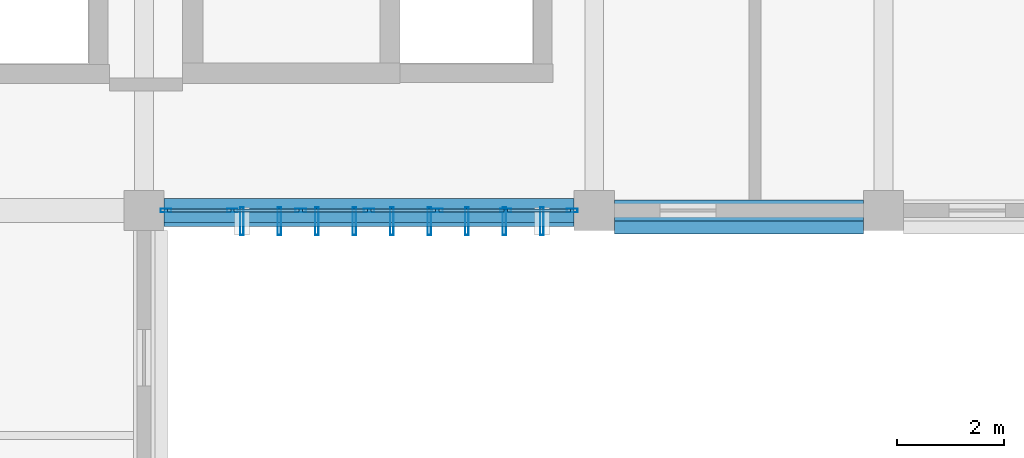
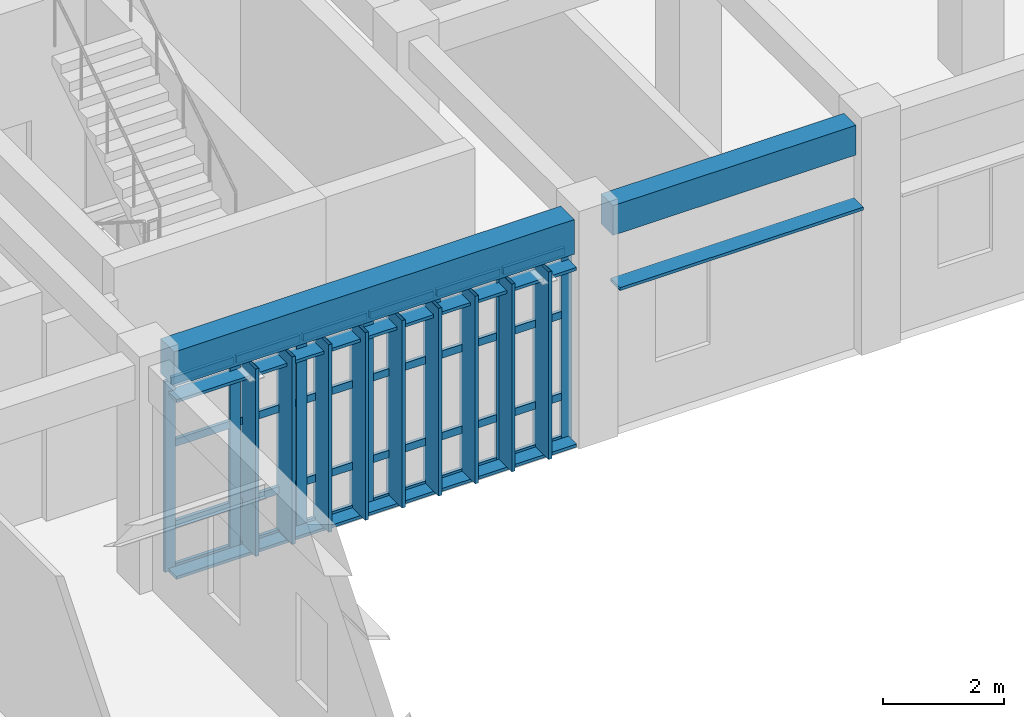
# One storey, part 46 of 76: 43 members, 2 beams, 1 element without a shape of its own.
"""IFC4 building model written with IfcOpenShell, lengths in metres."""

from ifc_helpers import new_model, si_unit, direction, frame, origin, origin_2d, place, context, subcontext, project, spatial, rectangle, hollow_rectangle, extrude, material, layer, layer_set, material_profile, profile_set, type_object, element, aggregate, save


model = new_model("IFC4")

# Units and contexts
model_context = context("Model", 3, precision=1e-05, world=origin(), true_north=direction((0.0, 1.0)))
body_context = subcontext(model_context, "Body", "Model", "MODEL_VIEW")
ifc_project = project(units=[si_unit("LENGTHUNIT", "METRE"), si_unit("AREAUNIT", "SQUARE_METRE"), si_unit("VOLUMEUNIT", "CUBIC_METRE"), si_unit("PLANEANGLEUNIT", "RADIAN"), si_unit("MASSUNIT", "GRAM", prefix="KILO")], contexts=[model_context])

# Site, building, storey
site_placement = place(None, origin())
site = spatial("IfcSite", under=ifc_project, at=site_placement, CompositionType="ELEMENT")
building_placement = place(site_placement, origin())
building = spatial("IfcBuilding", under=site, at=building_placement, Name="Krzemoval Escarpment Law Courts", CompositionType="ELEMENT")
storey_placement = place(building_placement, frame((0.0, 0.0, 20.39990234375)))
storey = spatial("IfcBuildingStorey", under=building, at=storey_placement, Name="L04", CompositionType="ELEMENT", Elevation=20.39990234375)

# Beams
ifc_material_1 = material(Name="Concrete C40/50", Category="concrete")
ifc_material_profile_1 = material_profile(ifc_material_1, rectangle(XDim=0.39990234375, YDim=0.60009765625, at=origin_2d()), Name="RCB 400x600")
ifc_profile_set_1 = profile_set([ifc_material_profile_1], Name="Concrete C40/50")
beam_type_1 = type_object("IfcBeamType", Name="BM-RC-400x600", PredefinedType="BEAM", material=ifc_profile_set_1)
beam_1_placement = place(storey_placement, frame((151.574951171875, 93.60009765625, 4.25), z_axis=(1.0, 0.0, 0.0), x_axis=(0.0, 1.0, 0.0)))
element("IfcBeam", 1, at=beam_1_placement, inside=storey, type_object=beam_type_1, Name="Beam FG-L04-2456", PredefinedType="BEAM", context=body_context, shape_type="SweptSolid", body=[
    extrude(rectangle(XDim=0.39990234375, YDim=0.60009765625, at=origin_2d()), origin(), (0.0, 0.0, 1.0), 4.650146484375),
])
ifc_material_2 = material(Name="Concrete C40/50", Category="concrete")
ifc_material_profile_2 = material_profile(ifc_material_2, rectangle(XDim=0.449951171875, YDim=0.699951171875, at=origin_2d()), Name="RCB 450x700")
ifc_profile_set_2 = profile_set([ifc_material_profile_2], Name="Concrete C40/50")
beam_type_2 = type_object("IfcBeamType", Name="BM-RC-450x700", PredefinedType="BEAM", material=ifc_profile_set_2)
beam_2_placement = place(storey_placement, frame((143.175048828125, 93.60009765625, 4.2001953125), z_axis=(1.0, 0.0, 0.0), x_axis=(0.0, 1.0, 0.0)))
element("IfcBeam", 2, at=beam_2_placement, inside=storey, type_object=beam_type_2, Name="Beam FG-L04-2455", PredefinedType="BEAM", context=body_context, shape_type="SweptSolid", body=[
    extrude(rectangle(XDim=0.449951171875, YDim=0.699951171875, at=origin_2d()), origin(), (0.0, 0.0, 1.0), 7.64990234375),
])

# Curtain wall, members
ifc_material_3 = material(Name="Aluminium 6063-T6", Category="aluminium")
ifc_layer = layer(ifc_material_3, 0.219970703125)
ifc_layer_set = layer_set([ifc_layer], Name="Aluminium 6063-T6")
curtain_wall_type = type_object("IfcCurtainWallType", Name="CW-CHMB-4200", PredefinedType="USERDEFINED", material=ifc_layer_set)
curtain_wall_placement = place(storey_placement, origin())
curtain_wall = element("IfcCurtainWall", 3, at=curtain_wall_placement, inside=storey, type_object=curtain_wall_type, Name="Unitised Curtain Wall FCW-L04-132", ObjectType="UNITISED_CURTAIN_WALL", PredefinedType="USERDEFINED")
ifc_material_4 = material(Name="Aluminium 6063-T6", Category="aluminium")
ifc_material_profile_3 = material_profile(ifc_material_4, hollow_rectangle(XDim=0.06494140625, YDim=0.199951171875, WallThickness=0.00439453125, at=origin_2d()), Name="ALU M65x200")
ifc_profile_set_3 = profile_set([ifc_material_profile_3], Name="Aluminium 6063-T6")
member_type_1 = type_object("IfcMemberType", Name="CWM-65x200", PredefinedType="MULLION", material=ifc_profile_set_3)
member_1_placement = place(storey_placement, frame((150.79248046875, 93.60009765625, 0.0), z_axis=(0.0, 0.0, 1.0), x_axis=(0.0, -1.0, 0.0)))
member_1 = element("IfcMember", 4, at=member_1_placement, type_object=member_type_1, Name="FCW-L04-132 mullion 1", PredefinedType="MULLION", context=body_context, shape_type="SweptSolid", body=[
    extrude(hollow_rectangle(XDim=0.06494140625, YDim=0.199951171875, WallThickness=0.00439453125, at=origin_2d()), origin(), (0.0, 0.0, 1.0), 3.85009765625),
])
member_2_placement = place(storey_placement, frame((149.550048828125, 93.60009765625, 0.0), z_axis=(0.0, 0.0, 1.0), x_axis=(0.0, -1.0, 0.0)))
member_2 = element("IfcMember", 5, at=member_2_placement, type_object=member_type_1, Name="FCW-L04-132 mullion 2", PredefinedType="MULLION", context=body_context, shape_type="SweptSolid", body=[
    extrude(hollow_rectangle(XDim=0.06494140625, YDim=0.199951171875, WallThickness=0.00439453125, at=origin_2d()), origin(), (0.0, 0.0, 1.0), 3.85009765625),
])
member_3_placement = place(storey_placement, frame((148.27490234375, 93.60009765625, 0.0), z_axis=(0.0, 0.0, 1.0), x_axis=(0.0, -1.0, 0.0)))
member_3 = element("IfcMember", 6, at=member_3_placement, type_object=member_type_1, Name="FCW-L04-132 mullion 3", PredefinedType="MULLION", context=body_context, shape_type="SweptSolid", body=[
    extrude(hollow_rectangle(XDim=0.06494140625, YDim=0.199951171875, WallThickness=0.00439453125, at=origin_2d()), origin(), (0.0, 0.0, 1.0), 3.85009765625),
])
member_4_placement = place(storey_placement, frame((147.0, 93.60009765625, 0.0), z_axis=(0.0, 0.0, 1.0), x_axis=(0.0, -1.0, 0.0)))
member_4 = element("IfcMember", 7, at=member_4_placement, type_object=member_type_1, Name="FCW-L04-132 mullion 4", PredefinedType="MULLION", context=body_context, shape_type="SweptSolid", body=[
    extrude(hollow_rectangle(XDim=0.06494140625, YDim=0.199951171875, WallThickness=0.00439453125, at=origin_2d()), origin(), (0.0, 0.0, 1.0), 3.85009765625),
])
member_5_placement = place(storey_placement, frame((145.72509765625, 93.60009765625, 0.0), z_axis=(0.0, 0.0, 1.0), x_axis=(0.0, -1.0, 0.0)))
member_5 = element("IfcMember", 8, at=member_5_placement, type_object=member_type_1, Name="FCW-L04-132 mullion 5", PredefinedType="MULLION", context=body_context, shape_type="SweptSolid", body=[
    extrude(hollow_rectangle(XDim=0.06494140625, YDim=0.199951171875, WallThickness=0.00439453125, at=origin_2d()), origin(), (0.0, 0.0, 1.0), 3.85009765625),
])
member_6_placement = place(storey_placement, frame((144.449951171875, 93.60009765625, 0.0), z_axis=(0.0, 0.0, 1.0), x_axis=(0.0, -1.0, 0.0)))
member_6 = element("IfcMember", 9, at=member_6_placement, type_object=member_type_1, Name="FCW-L04-132 mullion 6", PredefinedType="MULLION", context=body_context, shape_type="SweptSolid", body=[
    extrude(hollow_rectangle(XDim=0.06494140625, YDim=0.199951171875, WallThickness=0.00439453125, at=origin_2d()), origin(), (0.0, 0.0, 1.0), 3.85009765625),
])
member_7_placement = place(storey_placement, frame((143.20751953125, 93.60009765625, 0.0), z_axis=(0.0, 0.0, 1.0), x_axis=(0.0, -1.0, 0.0)))
member_7 = element("IfcMember", 10, at=member_7_placement, type_object=member_type_1, Name="FCW-L04-132 mullion 7", PredefinedType="MULLION", context=body_context, shape_type="SweptSolid", body=[
    extrude(hollow_rectangle(XDim=0.06494140625, YDim=0.199951171875, WallThickness=0.00439453125, at=origin_2d()), origin(), (0.0, 0.0, 1.0), 3.85009765625),
])
ifc_material_5 = material(Name="Aluminium 6063-T6", Category="aluminium")
ifc_material_profile_4 = material_profile(ifc_material_5, hollow_rectangle(XDim=0.06494140625, YDim=0.14990234375, WallThickness=0.00439453125, at=origin_2d()), Name="ALU T65x150")
ifc_profile_set_4 = profile_set([ifc_material_profile_4], Name="Aluminium 6063-T6")
member_type_2 = type_object("IfcMemberType", Name="CWT-65x150", PredefinedType="USERDEFINED", material=ifc_profile_set_4)
member_8_placement = place(storey_placement, frame((150.760009765625, 93.60009765625, 0.03271484375), z_axis=(-1.0, 0.0, 0.0), x_axis=(0.0, -1.0, 0.0)))
member_8 = element("IfcMember", 11, at=member_8_placement, type_object=member_type_2, Name="FCW-L04-132 transom 1.1", ObjectType="TRANSOM", PredefinedType="USERDEFINED", context=body_context, shape_type="SweptSolid", body=[
    extrude(hollow_rectangle(XDim=0.06494140625, YDim=0.14990234375, WallThickness=0.00439453125, at=origin_2d()), origin(), (0.0, 0.0, 1.0), 1.177490234375),
])
member_9_placement = place(storey_placement, frame((150.760009765625, 93.60009765625, 0.900146484375), z_axis=(-1.0, 0.0, 0.0), x_axis=(0.0, -1.0, 0.0)))
member_9 = element("IfcMember", 12, at=member_9_placement, type_object=member_type_2, Name="FCW-L04-132 transom 1.2", ObjectType="TRANSOM", PredefinedType="USERDEFINED", context=body_context, shape_type="SweptSolid", body=[
    extrude(hollow_rectangle(XDim=0.06494140625, YDim=0.14990234375, WallThickness=0.00439453125, at=origin_2d()), origin(), (0.0, 0.0, 1.0), 1.177490234375),
])
member_10_placement = place(storey_placement, frame((150.760009765625, 93.60009765625, 2.550048828125), z_axis=(-1.0, 0.0, 0.0), x_axis=(0.0, -1.0, 0.0)))
member_10 = element("IfcMember", 13, at=member_10_placement, type_object=member_type_2, Name="FCW-L04-132 transom 1.3", ObjectType="TRANSOM", PredefinedType="USERDEFINED", context=body_context, shape_type="SweptSolid", body=[
    extrude(hollow_rectangle(XDim=0.06494140625, YDim=0.14990234375, WallThickness=0.00439453125, at=origin_2d()), origin(), (0.0, 0.0, 1.0), 1.177490234375),
])
member_11_placement = place(storey_placement, frame((150.760009765625, 93.60009765625, 3.817626953125), z_axis=(-1.0, 0.0, 0.0), x_axis=(0.0, -1.0, 0.0)))
member_11 = element("IfcMember", 14, at=member_11_placement, type_object=member_type_2, Name="FCW-L04-132 transom 1.4", ObjectType="TRANSOM", PredefinedType="USERDEFINED", context=body_context, shape_type="SweptSolid", body=[
    extrude(hollow_rectangle(XDim=0.06494140625, YDim=0.14990234375, WallThickness=0.00439453125, at=origin_2d()), origin(), (0.0, 0.0, 1.0), 1.177490234375),
])
member_12_placement = place(storey_placement, frame((149.517578125, 93.60009765625, 0.03271484375), z_axis=(-1.0, 0.0, 0.0), x_axis=(0.0, -1.0, 0.0)))
member_12 = element("IfcMember", 15, at=member_12_placement, type_object=member_type_2, Name="FCW-L04-132 transom 2.1", ObjectType="TRANSOM", PredefinedType="USERDEFINED", context=body_context, shape_type="SweptSolid", body=[
    extrude(hollow_rectangle(XDim=0.06494140625, YDim=0.14990234375, WallThickness=0.00439453125, at=origin_2d()), origin(), (0.0, 0.0, 1.0), 1.2099609375),
])
member_13_placement = place(storey_placement, frame((149.517578125, 93.60009765625, 0.900146484375), z_axis=(-1.0, 0.0, 0.0), x_axis=(0.0, -1.0, 0.0)))
member_13 = element("IfcMember", 16, at=member_13_placement, type_object=member_type_2, Name="FCW-L04-132 transom 2.2", ObjectType="TRANSOM", PredefinedType="USERDEFINED", context=body_context, shape_type="SweptSolid", body=[
    extrude(hollow_rectangle(XDim=0.06494140625, YDim=0.14990234375, WallThickness=0.00439453125, at=origin_2d()), origin(), (0.0, 0.0, 1.0), 1.2099609375),
])
member_14_placement = place(storey_placement, frame((149.517578125, 93.60009765625, 2.550048828125), z_axis=(-1.0, 0.0, 0.0), x_axis=(0.0, -1.0, 0.0)))
member_14 = element("IfcMember", 17, at=member_14_placement, type_object=member_type_2, Name="FCW-L04-132 transom 2.3", ObjectType="TRANSOM", PredefinedType="USERDEFINED", context=body_context, shape_type="SweptSolid", body=[
    extrude(hollow_rectangle(XDim=0.06494140625, YDim=0.14990234375, WallThickness=0.00439453125, at=origin_2d()), origin(), (0.0, 0.0, 1.0), 1.2099609375),
])
member_15_placement = place(storey_placement, frame((149.517578125, 93.60009765625, 3.817626953125), z_axis=(-1.0, 0.0, 0.0), x_axis=(0.0, -1.0, 0.0)))
member_15 = element("IfcMember", 18, at=member_15_placement, type_object=member_type_2, Name="FCW-L04-132 transom 2.4", ObjectType="TRANSOM", PredefinedType="USERDEFINED", context=body_context, shape_type="SweptSolid", body=[
    extrude(hollow_rectangle(XDim=0.06494140625, YDim=0.14990234375, WallThickness=0.00439453125, at=origin_2d()), origin(), (0.0, 0.0, 1.0), 1.2099609375),
])
member_16_placement = place(storey_placement, frame((148.242431640625, 93.60009765625, 0.03271484375), z_axis=(-1.0, 0.0, 0.0), x_axis=(0.0, -1.0, 0.0)))
member_16 = element("IfcMember", 19, at=member_16_placement, type_object=member_type_2, Name="FCW-L04-132 transom 3.1", ObjectType="TRANSOM", PredefinedType="USERDEFINED", context=body_context, shape_type="SweptSolid", body=[
    extrude(hollow_rectangle(XDim=0.06494140625, YDim=0.14990234375, WallThickness=0.00439453125, at=origin_2d()), origin(), (0.0, 0.0, 1.0), 1.2099609375),
])
member_17_placement = place(storey_placement, frame((148.242431640625, 93.60009765625, 0.900146484375), z_axis=(-1.0, 0.0, 0.0), x_axis=(0.0, -1.0, 0.0)))
member_17 = element("IfcMember", 20, at=member_17_placement, type_object=member_type_2, Name="FCW-L04-132 transom 3.2", ObjectType="TRANSOM", PredefinedType="USERDEFINED", context=body_context, shape_type="SweptSolid", body=[
    extrude(hollow_rectangle(XDim=0.06494140625, YDim=0.14990234375, WallThickness=0.00439453125, at=origin_2d()), origin(), (0.0, 0.0, 1.0), 1.2099609375),
])
member_18_placement = place(storey_placement, frame((148.242431640625, 93.60009765625, 2.550048828125), z_axis=(-1.0, 0.0, 0.0), x_axis=(0.0, -1.0, 0.0)))
member_18 = element("IfcMember", 21, at=member_18_placement, type_object=member_type_2, Name="FCW-L04-132 transom 3.3", ObjectType="TRANSOM", PredefinedType="USERDEFINED", context=body_context, shape_type="SweptSolid", body=[
    extrude(hollow_rectangle(XDim=0.06494140625, YDim=0.14990234375, WallThickness=0.00439453125, at=origin_2d()), origin(), (0.0, 0.0, 1.0), 1.2099609375),
])
member_19_placement = place(storey_placement, frame((148.242431640625, 93.60009765625, 3.817626953125), z_axis=(-1.0, 0.0, 0.0), x_axis=(0.0, -1.0, 0.0)))
member_19 = element("IfcMember", 22, at=member_19_placement, type_object=member_type_2, Name="FCW-L04-132 transom 3.4", ObjectType="TRANSOM", PredefinedType="USERDEFINED", context=body_context, shape_type="SweptSolid", body=[
    extrude(hollow_rectangle(XDim=0.06494140625, YDim=0.14990234375, WallThickness=0.00439453125, at=origin_2d()), origin(), (0.0, 0.0, 1.0), 1.2099609375),
])
member_20_placement = place(storey_placement, frame((146.967529296875, 93.60009765625, 0.03271484375), z_axis=(-1.0, 0.0, 0.0), x_axis=(0.0, -1.0, 0.0)))
member_20 = element("IfcMember", 23, at=member_20_placement, type_object=member_type_2, Name="FCW-L04-132 transom 4.1", ObjectType="TRANSOM", PredefinedType="USERDEFINED", context=body_context, shape_type="SweptSolid", body=[
    extrude(hollow_rectangle(XDim=0.06494140625, YDim=0.14990234375, WallThickness=0.00439453125, at=origin_2d()), origin(), (0.0, 0.0, 1.0), 1.2099609375),
])
member_21_placement = place(storey_placement, frame((146.967529296875, 93.60009765625, 0.900146484375), z_axis=(-1.0, 0.0, 0.0), x_axis=(0.0, -1.0, 0.0)))
member_21 = element("IfcMember", 24, at=member_21_placement, type_object=member_type_2, Name="FCW-L04-132 transom 4.2", ObjectType="TRANSOM", PredefinedType="USERDEFINED", context=body_context, shape_type="SweptSolid", body=[
    extrude(hollow_rectangle(XDim=0.06494140625, YDim=0.14990234375, WallThickness=0.00439453125, at=origin_2d()), origin(), (0.0, 0.0, 1.0), 1.2099609375),
])
member_22_placement = place(storey_placement, frame((146.967529296875, 93.60009765625, 2.550048828125), z_axis=(-1.0, 0.0, 0.0), x_axis=(0.0, -1.0, 0.0)))
member_22 = element("IfcMember", 25, at=member_22_placement, type_object=member_type_2, Name="FCW-L04-132 transom 4.3", ObjectType="TRANSOM", PredefinedType="USERDEFINED", context=body_context, shape_type="SweptSolid", body=[
    extrude(hollow_rectangle(XDim=0.06494140625, YDim=0.14990234375, WallThickness=0.00439453125, at=origin_2d()), origin(), (0.0, 0.0, 1.0), 1.2099609375),
])
member_23_placement = place(storey_placement, frame((146.967529296875, 93.60009765625, 3.817626953125), z_axis=(-1.0, 0.0, 0.0), x_axis=(0.0, -1.0, 0.0)))
member_23 = element("IfcMember", 26, at=member_23_placement, type_object=member_type_2, Name="FCW-L04-132 transom 4.4", ObjectType="TRANSOM", PredefinedType="USERDEFINED", context=body_context, shape_type="SweptSolid", body=[
    extrude(hollow_rectangle(XDim=0.06494140625, YDim=0.14990234375, WallThickness=0.00439453125, at=origin_2d()), origin(), (0.0, 0.0, 1.0), 1.2099609375),
])
member_24_placement = place(storey_placement, frame((145.6923828125, 93.60009765625, 0.03271484375), z_axis=(-1.0, 0.0, 0.0), x_axis=(0.0, -1.0, 0.0)))
member_24 = element("IfcMember", 27, at=member_24_placement, type_object=member_type_2, Name="FCW-L04-132 transom 5.1", ObjectType="TRANSOM", PredefinedType="USERDEFINED", context=body_context, shape_type="SweptSolid", body=[
    extrude(hollow_rectangle(XDim=0.06494140625, YDim=0.14990234375, WallThickness=0.00439453125, at=origin_2d()), origin(), (0.0, 0.0, 1.0), 1.2099609375),
])
member_25_placement = place(storey_placement, frame((145.6923828125, 93.60009765625, 0.900146484375), z_axis=(-1.0, 0.0, 0.0), x_axis=(0.0, -1.0, 0.0)))
member_25 = element("IfcMember", 28, at=member_25_placement, type_object=member_type_2, Name="FCW-L04-132 transom 5.2", ObjectType="TRANSOM", PredefinedType="USERDEFINED", context=body_context, shape_type="SweptSolid", body=[
    extrude(hollow_rectangle(XDim=0.06494140625, YDim=0.14990234375, WallThickness=0.00439453125, at=origin_2d()), origin(), (0.0, 0.0, 1.0), 1.2099609375),
])
member_26_placement = place(storey_placement, frame((145.6923828125, 93.60009765625, 2.550048828125), z_axis=(-1.0, 0.0, 0.0), x_axis=(0.0, -1.0, 0.0)))
member_26 = element("IfcMember", 29, at=member_26_placement, type_object=member_type_2, Name="FCW-L04-132 transom 5.3", ObjectType="TRANSOM", PredefinedType="USERDEFINED", context=body_context, shape_type="SweptSolid", body=[
    extrude(hollow_rectangle(XDim=0.06494140625, YDim=0.14990234375, WallThickness=0.00439453125, at=origin_2d()), origin(), (0.0, 0.0, 1.0), 1.2099609375),
])
member_27_placement = place(storey_placement, frame((145.6923828125, 93.60009765625, 3.817626953125), z_axis=(-1.0, 0.0, 0.0), x_axis=(0.0, -1.0, 0.0)))
member_27 = element("IfcMember", 30, at=member_27_placement, type_object=member_type_2, Name="FCW-L04-132 transom 5.4", ObjectType="TRANSOM", PredefinedType="USERDEFINED", context=body_context, shape_type="SweptSolid", body=[
    extrude(hollow_rectangle(XDim=0.06494140625, YDim=0.14990234375, WallThickness=0.00439453125, at=origin_2d()), origin(), (0.0, 0.0, 1.0), 1.2099609375),
])
member_28_placement = place(storey_placement, frame((144.41748046875, 93.60009765625, 0.03271484375), z_axis=(-1.0, 0.0, 0.0), x_axis=(0.0, -1.0, 0.0)))
member_28 = element("IfcMember", 31, at=member_28_placement, type_object=member_type_2, Name="FCW-L04-132 transom 6.1", ObjectType="TRANSOM", PredefinedType="USERDEFINED", context=body_context, shape_type="SweptSolid", body=[
    extrude(hollow_rectangle(XDim=0.06494140625, YDim=0.14990234375, WallThickness=0.00439453125, at=origin_2d()), origin(), (0.0, 0.0, 1.0), 1.177490234375),
])
member_29_placement = place(storey_placement, frame((144.41748046875, 93.60009765625, 0.900146484375), z_axis=(-1.0, 0.0, 0.0), x_axis=(0.0, -1.0, 0.0)))
member_29 = element("IfcMember", 32, at=member_29_placement, type_object=member_type_2, Name="FCW-L04-132 transom 6.2", ObjectType="TRANSOM", PredefinedType="USERDEFINED", context=body_context, shape_type="SweptSolid", body=[
    extrude(hollow_rectangle(XDim=0.06494140625, YDim=0.14990234375, WallThickness=0.00439453125, at=origin_2d()), origin(), (0.0, 0.0, 1.0), 1.177490234375),
])
member_30_placement = place(storey_placement, frame((144.41748046875, 93.60009765625, 2.550048828125), z_axis=(-1.0, 0.0, 0.0), x_axis=(0.0, -1.0, 0.0)))
member_30 = element("IfcMember", 33, at=member_30_placement, type_object=member_type_2, Name="FCW-L04-132 transom 6.3", ObjectType="TRANSOM", PredefinedType="USERDEFINED", context=body_context, shape_type="SweptSolid", body=[
    extrude(hollow_rectangle(XDim=0.06494140625, YDim=0.14990234375, WallThickness=0.00439453125, at=origin_2d()), origin(), (0.0, 0.0, 1.0), 1.177490234375),
])
member_31_placement = place(storey_placement, frame((144.41748046875, 93.60009765625, 3.817626953125), z_axis=(-1.0, 0.0, 0.0), x_axis=(0.0, -1.0, 0.0)))
member_31 = element("IfcMember", 34, at=member_31_placement, type_object=member_type_2, Name="FCW-L04-132 transom 6.4", ObjectType="TRANSOM", PredefinedType="USERDEFINED", context=body_context, shape_type="SweptSolid", body=[
    extrude(hollow_rectangle(XDim=0.06494140625, YDim=0.14990234375, WallThickness=0.00439453125, at=origin_2d()), origin(), (0.0, 0.0, 1.0), 1.177490234375),
])
aggregate(curtain_wall, [member_1, member_2, member_3, member_4, member_5, member_6, member_7, member_8, member_9, member_10, member_11, member_12, member_13, member_14, member_15, member_16, member_17, member_18, member_19, member_20, member_21, member_22, member_23, member_24, member_25, member_26, member_27, member_28, member_29, member_30, member_31])

# Members
ifc_material_6 = material(Name="Anodised Aluminium Alloy 6063-T6", Category="aluminium")
ifc_material_profile_5 = material_profile(ifc_material_6, hollow_rectangle(XDim=0.06005859375, YDim=0.320068359375, WallThickness=0.00390625, at=origin_2d()), Name="ALU LVR 60x320")
ifc_profile_set_5 = profile_set([ifc_material_profile_5], Name="Anodised Aluminium Alloy 6063-T6")
member_type_3 = type_object("IfcMemberType", Name="LVR-ALU-320", PredefinedType="USERDEFINED", material=ifc_profile_set_5)
member_32_placement = place(storey_placement, frame((156.22509765625, 93.320068359375, 3.010009765625), z_axis=(-1.0, 0.0, 0.0), x_axis=(0.0, 0.0, 1.0)))
element("IfcMember", 35, at=member_32_placement, inside=storey, type_object=member_type_3, Name="Window Sunshade Louvre FLV-L04-0880", ObjectType="SUNSHADE_LOUVRE", PredefinedType="USERDEFINED", context=body_context, shape_type="SweptSolid", body=[
    extrude(hollow_rectangle(XDim=0.06005859375, YDim=0.320068359375, WallThickness=0.00390625, at=origin_2d()), origin(), (0.0, 0.0, 1.0), 4.650146484375),
])
for number, where, z_axis, x_axis, name in (
    (36, (150.824951171875, 93.4599609375, 0.030029296875), (-1.0, 0.0, 0.0), (0.0, 0.0, 1.0), "Sunshade Support Rail FSR-L04-0881"),
    (37, (150.824951171875, 93.4599609375, 3.60009765625), (-1.0, 0.0, 0.0), (0.0, 0.0, 1.0), "Sunshade Support Rail FSR-L04-0882"),
):
    element("IfcMember", number, at=place(storey_placement, frame(where, z_axis=z_axis, x_axis=x_axis)), inside=storey, type_object=member_type_3, Name=name, ObjectType="SUNSHADE_LOUVRE", PredefinedType="USERDEFINED", context=body_context, shape_type="SweptSolid", body=[
        extrude(hollow_rectangle(XDim=0.06005859375, YDim=0.320068359375, WallThickness=0.00390625, at=origin_2d()), origin(), (0.0, 0.0, 1.0), 7.64990234375),
    ])
ifc_material_7 = material(Name="Anodised Aluminium Alloy 6063-T6", Category="aluminium")
ifc_material_profile_6 = material_profile(ifc_material_7, hollow_rectangle(XDim=0.06494140625, YDim=0.52001953125, WallThickness=0.00439453125, at=origin_2d()), Name="ALU LVR 65x520")
ifc_profile_set_6 = profile_set([ifc_material_profile_6], Name="Anodised Aluminium Alloy 6063-T6")
member_type_4 = type_object("IfcMemberType", Name="LVR-ALU-520", PredefinedType="USERDEFINED", material=ifc_profile_set_6)
for number, where, z_axis, x_axis, name in (
    (38, (150.22509765625, 93.39990234375, 0.06005859375), (0.0, 0.0, 1.0), (1.0, 0.0, 0.0), "Sunshade Louvre Fin FLV-L04-0883"),
    (39, (149.52490234375, 93.39990234375, 0.06005859375), (0.0, 0.0, 1.0), (1.0, 0.0, 0.0), "Sunshade Louvre Fin FLV-L04-0884"),
    (40, (148.824951171875, 93.39990234375, 0.06005859375), (0.0, 0.0, 1.0), (1.0, 0.0, 0.0), "Sunshade Louvre Fin FLV-L04-0885"),
    (41, (148.125, 93.39990234375, 0.06005859375), (0.0, 0.0, 1.0), (1.0, 0.0, 0.0), "Sunshade Louvre Fin FLV-L04-0886"),
    (42, (147.425048828125, 93.39990234375, 0.06005859375), (0.0, 0.0, 1.0), (1.0, 0.0, 0.0), "Sunshade Louvre Fin FLV-L04-0887"),
    (43, (146.72509765625, 93.39990234375, 0.06005859375), (0.0, 0.0, 1.0), (1.0, 0.0, 0.0), "Sunshade Louvre Fin FLV-L04-0888"),
    (44, (146.02490234375, 93.39990234375, 0.06005859375), (0.0, 0.0, 1.0), (1.0, 0.0, 0.0), "Sunshade Louvre Fin FLV-L04-0889"),
    (45, (145.324951171875, 93.39990234375, 0.06005859375), (0.0, 0.0, 1.0), (1.0, 0.0, 0.0), "Sunshade Louvre Fin FLV-L04-0890"),
    (46, (144.625, 93.39990234375, 0.06005859375), (0.0, 0.0, 1.0), (1.0, 0.0, 0.0), "Sunshade Louvre Fin FLV-L04-0891"),
):
    element("IfcMember", number, at=place(storey_placement, frame(where, z_axis=z_axis, x_axis=x_axis)), inside=storey, type_object=member_type_4, Name=name, ObjectType="SUNSHADE_LOUVRE", PredefinedType="USERDEFINED", context=body_context, shape_type="SweptSolid", body=[
        extrude(hollow_rectangle(XDim=0.06494140625, YDim=0.52001953125, WallThickness=0.00439453125, at=origin_2d()), origin(), (0.0, 0.0, 1.0), 3.7900390625),
    ])

save(model, "model.ifc")
